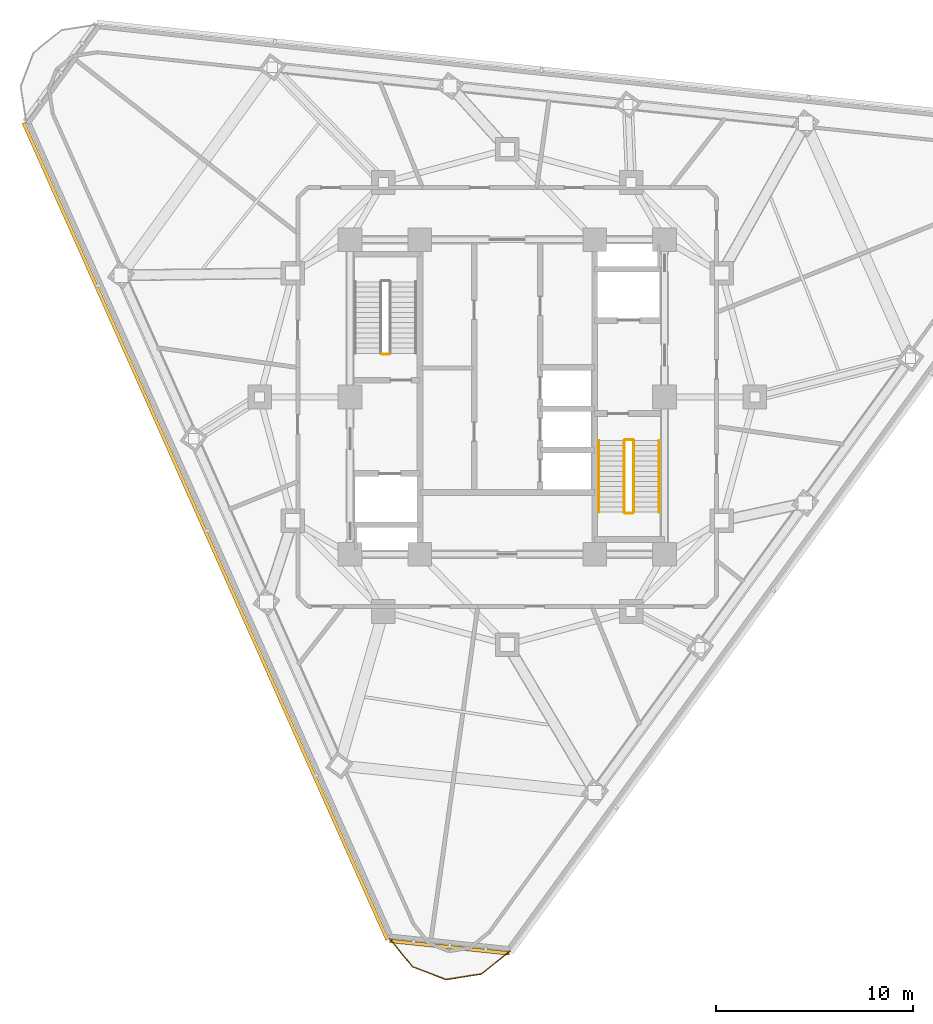
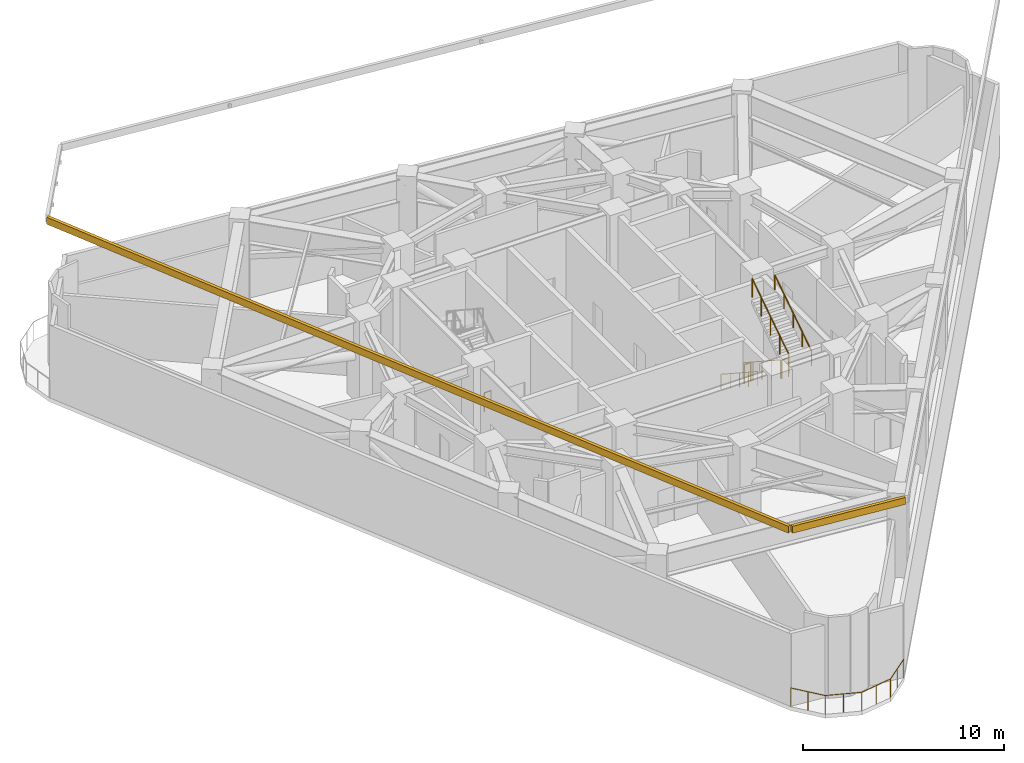
# One storey, part 8 of 10: 8 railings, 2 shading devices.
"""IFC4 building model written with IfcOpenShell, lengths in metres."""

from ifc_helpers import new_model, si_unit, direction, frame, origin, origin_2d, place, context, subcontext, project, spatial, rectangle, circle, extrude, material, layer, layer_set, type_object, element, save


model = new_model("IFC4")

# Units and contexts
model_context = context("Model", 3, precision=1e-05, world=origin(), true_north=direction((0.0, 1.0)))
body_context = subcontext(model_context, "Body", "Model", "MODEL_VIEW")
ifc_project = project(units=[si_unit("LENGTHUNIT", "METRE"), si_unit("AREAUNIT", "SQUARE_METRE"), si_unit("VOLUMEUNIT", "CUBIC_METRE"), si_unit("PLANEANGLEUNIT", "RADIAN"), si_unit("MASSUNIT", "GRAM", prefix="KILO")], contexts=[model_context])

# Site, building, storey
site_placement = place(None, origin())
site = spatial("IfcSite", under=ifc_project, at=site_placement, CompositionType="ELEMENT")
building_placement = place(site_placement, origin())
building = spatial("IfcBuilding", under=site, at=building_placement, Name="Terralouvre Media Tower", CompositionType="ELEMENT")
storey_placement = place(building_placement, frame((0.0, 0.0, 213.800048828125)))
storey = spatial("IfcBuildingStorey", under=building, at=storey_placement, Name="L55", CompositionType="ELEMENT", Elevation=213.800048828125)

# Shading devices
ifc_material_1 = material(Name="Extruded terracotta baguette sunshade louvres", Category="masonry")
shading_device_type = type_object("IfcShadingDeviceType", Name="Refuge Plant Acoustic Terracotta Louvre Grill TB-LV2", PredefinedType="JALOUSIE", material=ifc_material_1)
shading_device_1_placement = place(storey_placement, frame((-15.351806640625, -6.835205078125, 10.6298828125), z_axis=(0.0, 0.0, 1.0), x_axis=(0.406736679636, -0.913545441365, 0.0)))
element("IfcShadingDevice", 1, at=shading_device_1_placement, inside=storey, type_object=shading_device_type, Name="CW-L55-F2 Refuge Acoustic Terracotta Louvre", PredefinedType="JALOUSIE", context=body_context, shape_type="SweptSolid", body=[
    extrude(rectangle(XDim=45.5, YDim=0.179931640625, at=origin_2d()), origin(), (0.0, 0.0, 1.0), 0.419921875),
])
shading_device_2_placement = place(storey_placement, frame((-2.94189453125, -27.990234375, 10.6298828125), z_axis=(0.0, 0.0, 1.0), x_axis=(0.994521944551, -0.104527995322, 0.0)))
element("IfcShadingDevice", 2, at=shading_device_2_placement, inside=storey, type_object=shading_device_type, Name="CW-L55-C0 Refuge Acoustic Terracotta Louvre", PredefinedType="JALOUSIE", context=body_context, shape_type="SweptSolid", body=[
    extrude(rectangle(XDim=6.148681640625, YDim=0.179931640625, at=origin_2d()), origin(), (0.0, 0.0, 1.0), 0.419921875),
])

# Railings
ifc_material_2 = material(Name="Stainless steel 316 handrail and balustrade", Category="steel")
ifc_layer_1 = layer(ifc_material_2, 0.06005859375, Name="Roof Edge Safety Guardrail GR-ROOF1")
ifc_layer_set_1 = layer_set([ifc_layer_1], Name="Stainless steel 316 handrail and balustrade")
railing_type_1 = type_object("IfcRailingType", Name="Roof Edge Safety Guardrail GR-ROOF1", PredefinedType="GUARDRAIL", material=ifc_layer_set_1)
railing_1_placement = place(storey_placement, frame((-5.98583984375, -27.5546875, 0.0)))
element("IfcRailing", 3, at=railing_1_placement, inside=storey, type_object=railing_type_1, Name="L55 Wind-Corner Perimeter Safety Guardrail C0", PredefinedType="GUARDRAIL", context=body_context, shape_type="SweptSolid", body=[
    extrude(circle(Radius=0.02099609375, at=origin_2d()), frame((0.0, 0.0, 1.12890625), z_axis=(0.629125588714, -0.777303668861, 0.0), x_axis=(0.777303668861, 0.629125588714, 0.0)), (0.0, 0.0, 1.0), 1.837158203125),
    extrude(circle(Radius=0.02099609375, at=origin_2d()), frame((1.15576171875, -1.427978515625, 1.12890625), z_axis=(0.933530480619, -0.358498035915, 0.0), x_axis=(0.358498035915, 0.933530480619, 0.0)), (0.0, 0.0, 1.0), 1.836669921875),
    extrude(circle(Radius=0.02099609375, at=origin_2d()), frame((2.870361328125, -2.08642578125, 1.12890625), z_axis=(0.987666866591, 0.156569986387, 0.0), x_axis=(-0.156569986387, 0.987666866591, 0.0)), (0.0, 0.0, 1.0), 1.8369140625),
    extrude(circle(Radius=0.02099609375, at=origin_2d()), frame((4.6845703125, -1.798828125, 1.12890625), z_axis=(0.777015769995, 0.629481130122, 0.0), x_axis=(-0.629481130122, 0.777015769995, 0.0)), (0.0, 0.0, 1.0), 1.8369140625),
    extrude(circle(Radius=0.01904296875, at=origin_2d()), origin(), (0.0, 0.0, 1.0), 1.10791015625),
    extrude(circle(Radius=0.01904296875, at=origin_2d()), frame((0.577880859375, -0.7138671875, 0.0)), (0.0, 0.0, 1.0), 1.10791015625),
    extrude(circle(Radius=0.01904296875, at=origin_2d()), frame((1.15576171875, -1.427978515625, 0.0)), (0.0, 0.0, 1.0), 1.10791015625),
    extrude(circle(Radius=0.01904296875, at=origin_2d()), frame((2.01318359375, -1.75732421875, 0.0)), (0.0, 0.0, 1.0), 1.10791015625),
    extrude(circle(Radius=0.01904296875, at=origin_2d()), frame((2.870361328125, -2.08642578125, 0.0)), (0.0, 0.0, 1.0), 1.10791015625),
    extrude(circle(Radius=0.01904296875, at=origin_2d()), frame((3.77734375, -1.942626953125, 0.0)), (0.0, 0.0, 1.0), 1.10791015625),
    extrude(circle(Radius=0.01904296875, at=origin_2d()), frame((4.6845703125, -1.798828125, 0.0)), (0.0, 0.0, 1.0), 1.10791015625),
    extrude(circle(Radius=0.01904296875, at=origin_2d()), frame((5.398193359375, -1.220703125, 0.0)), (0.0, 0.0, 1.0), 1.10791015625),
    extrude(circle(Radius=0.01904296875, at=origin_2d()), frame((6.11181640625, -0.642578125, 0.0)), (0.0, 0.0, 1.0), 1.10791015625),
])
ifc_material_3 = material(Name="Stainless steel 316 handrail and balustrade", Category="steel")
ifc_layer_2 = layer(ifc_material_3, 0.050048828125, Name="Stair Flight Wall Handrail HR-INT1")
ifc_layer_set_2 = layer_set([ifc_layer_2], Name="Stainless steel 316 handrail and balustrade")
railing_type_2 = type_object("IfcRailingType", Name="Stair Flight Wall Handrail HR-INT1", PredefinedType="HANDRAIL", material=ifc_layer_set_2)
railing_2_placement = place(storey_placement, frame((4.64990234375, -2.219970703125, 0.169921875)))
element("IfcRailing", 4, at=railing_2_placement, inside=storey, type_object=railing_type_2, Name="L55 ST-02 stair handrail 1", PredefinedType="HANDRAIL", context=body_context, shape_type="SweptSolid", body=[
    extrude(circle(Radius=0.02392578125, at=origin_2d()), frame((0.0, 0.0, 0.8759765625), z_axis=(0.0, -0.836965658359, 0.547255412699), x_axis=(1.0, 0.0, 0.0)), (0.0, 0.0, 1.0), 4.34912109375),
    extrude(circle(Radius=0.02099609375, at=origin_2d()), origin(), (0.0, 0.0, 1.0), 0.851806640625),
    extrude(circle(Radius=0.02099609375, at=origin_2d()), frame((0.0, -0.91015625, 0.594970703125)), (0.0, 0.0, 1.0), 0.851806640625),
    extrude(circle(Radius=0.02099609375, at=origin_2d()), frame((0.0, -1.820068359375, 1.18994140625)), (0.0, 0.0, 1.0), 0.851806640625),
    extrude(circle(Radius=0.02099609375, at=origin_2d()), frame((0.0, -2.72998046875, 1.78515625)), (0.0, 0.0, 1.0), 0.851806640625),
    extrude(circle(Radius=0.02099609375, at=origin_2d()), frame((0.0, -3.64013671875, 2.380126953125)), (0.0, 0.0, 1.0), 0.851806640625),
])
railing_3_placement = place(storey_placement, frame((7.72998046875, -5.860107421875, 2.719970703125)))
element("IfcRailing", 5, at=railing_3_placement, inside=storey, type_object=railing_type_2, Name="L55 ST-02 stair handrail 2", PredefinedType="HANDRAIL", context=body_context, shape_type="SweptSolid", body=[
    extrude(circle(Radius=0.02392578125, at=origin_2d()), frame((0.0, 0.0, 0.8759765625), z_axis=(0.0, 0.836991369742, 0.547216088011), x_axis=(-1.0, 0.0, 0.0)), (0.0, 0.0, 1.0), 4.34912109375),
    extrude(circle(Radius=0.02099609375, at=origin_2d()), origin(), (0.0, 0.0, 1.0), 0.851806640625),
    extrude(circle(Radius=0.02099609375, at=origin_2d()), frame((0.0, 0.91015625, 0.594970703125)), (0.0, 0.0, 1.0), 0.851806640625),
    extrude(circle(Radius=0.02099609375, at=origin_2d()), frame((0.0, 1.820068359375, 1.18994140625)), (0.0, 0.0, 1.0), 0.851806640625),
    extrude(circle(Radius=0.02099609375, at=origin_2d()), frame((0.0, 2.72998046875, 1.784912109375)), (0.0, 0.0, 1.0), 0.851806640625),
    extrude(circle(Radius=0.02099609375, at=origin_2d()), frame((0.0, 3.64013671875, 2.3798828125)), (0.0, 0.0, 1.0), 0.851806640625),
])
ifc_material_4 = material(Name="Stainless steel 316 handrail and balustrade", Category="steel")
ifc_layer_3 = layer(ifc_material_4, 0.050048828125, Name="Stairwell Safety Guardrail GR-INT1")
ifc_layer_set_3 = layer_set([ifc_layer_3], Name="Stainless steel 316 handrail and balustrade")
railing_type_3 = type_object("IfcRailingType", Name="Stairwell Safety Guardrail GR-INT1", PredefinedType="GUARDRAIL", material=ifc_layer_set_3)
railing_4_placement = place(storey_placement, frame((-6.0, 2.169921875, 0.0)))
element("IfcRailing", 6, at=railing_4_placement, inside=storey, type_object=railing_type_3, Name="L55 ST-01 stair guard 4", PredefinedType="GUARDRAIL", context=body_context, shape_type="SweptSolid", body=[
    extrude(circle(Radius=0.02392578125, at=origin_2d()), frame((0.0, 0.0, 1.1259765625), z_axis=(-1.0, 0.0, 0.0), x_axis=(0.0, -1.0, 0.0)), (0.0, 0.0, 1.0), 0.3798828125),
    extrude(circle(Radius=0.02099609375, at=origin_2d()), origin(), (0.0, 0.0, 1.0), 1.101806640625),
    extrude(circle(Radius=0.02099609375, at=origin_2d()), frame((-0.3798828125, 0.0, 0.0)), (0.0, 0.0, 1.0), 1.101806640625),
])
railing_5_placement = place(storey_placement, frame((5.949951171875, -2.219970703125, 0.169921875)))
element("IfcRailing", 7, at=railing_5_placement, inside=storey, type_object=railing_type_3, Name="L55 ST-02 stair guard 1", PredefinedType="GUARDRAIL", context=body_context, shape_type="SweptSolid", body=[
    extrude(circle(Radius=0.02392578125, at=origin_2d()), frame((0.0, 0.0, 1.1259765625), z_axis=(0.0, -0.836965658359, 0.547255412699), x_axis=(1.0, 0.0, 0.0)), (0.0, 0.0, 1.0), 4.34912109375),
    extrude(circle(Radius=0.02099609375, at=origin_2d()), origin(), (0.0, 0.0, 1.0), 1.101806640625),
    extrude(circle(Radius=0.02099609375, at=origin_2d()), frame((0.0, -0.91015625, 0.594970703125)), (0.0, 0.0, 1.0), 1.101806640625),
    extrude(circle(Radius=0.02099609375, at=origin_2d()), frame((0.0, -1.820068359375, 1.18994140625)), (0.0, 0.0, 1.0), 1.101806640625),
    extrude(circle(Radius=0.02099609375, at=origin_2d()), frame((0.0, -2.72998046875, 1.78515625)), (0.0, 0.0, 1.0), 1.101806640625),
    extrude(circle(Radius=0.02099609375, at=origin_2d()), frame((0.0, -3.64013671875, 2.380126953125)), (0.0, 0.0, 1.0), 1.101806640625),
])
railing_6_placement = place(storey_placement, frame((6.0, -5.909912109375, 2.550048828125)))
element("IfcRailing", 8, at=railing_6_placement, inside=storey, type_object=railing_type_3, Name="L55 ST-02 stair guard 2", PredefinedType="GUARDRAIL", context=body_context, shape_type="SweptSolid", body=[
    extrude(circle(Radius=0.02392578125, at=origin_2d()), frame((0.0, 0.0, 1.1259765625), z_axis=(1.0, 0.0, 0.0), x_axis=(0.0, 1.0, 0.0)), (0.0, 0.0, 1.0), 0.3798828125),
    extrude(circle(Radius=0.02099609375, at=origin_2d()), origin(), (0.0, 0.0, 1.0), 1.101806640625),
    extrude(circle(Radius=0.02099609375, at=origin_2d()), frame((0.3798828125, 0.0, 0.0)), (0.0, 0.0, 1.0), 1.101806640625),
])
railing_7_placement = place(storey_placement, frame((6.429931640625, -5.860107421875, 2.719970703125)))
element("IfcRailing", 9, at=railing_7_placement, inside=storey, type_object=railing_type_3, Name="L55 ST-02 stair guard 3", PredefinedType="GUARDRAIL", context=body_context, shape_type="SweptSolid", body=[
    extrude(circle(Radius=0.02392578125, at=origin_2d()), frame((0.0, 0.0, 1.1259765625), z_axis=(0.0, 0.836991369742, 0.547216088011), x_axis=(-1.0, 0.0, 0.0)), (0.0, 0.0, 1.0), 4.34912109375),
    extrude(circle(Radius=0.02099609375, at=origin_2d()), origin(), (0.0, 0.0, 1.0), 1.101806640625),
    extrude(circle(Radius=0.02099609375, at=origin_2d()), frame((0.0, 0.91015625, 0.594970703125)), (0.0, 0.0, 1.0), 1.101806640625),
    extrude(circle(Radius=0.02099609375, at=origin_2d()), frame((0.0, 1.820068359375, 1.18994140625)), (0.0, 0.0, 1.0), 1.101806640625),
    extrude(circle(Radius=0.02099609375, at=origin_2d()), frame((0.0, 2.72998046875, 1.784912109375)), (0.0, 0.0, 1.0), 1.101806640625),
    extrude(circle(Radius=0.02099609375, at=origin_2d()), frame((0.0, 3.64013671875, 2.3798828125)), (0.0, 0.0, 1.0), 1.101806640625),
])
railing_8_placement = place(storey_placement, frame((6.0, -2.169921875, 0.0)))
element("IfcRailing", 10, at=railing_8_placement, inside=storey, type_object=railing_type_3, Name="L55 ST-02 stair guard 4", PredefinedType="GUARDRAIL", context=body_context, shape_type="SweptSolid", body=[
    extrude(circle(Radius=0.02392578125, at=origin_2d()), frame((0.0, 0.0, 1.1259765625), z_axis=(1.0, 0.0, 0.0), x_axis=(0.0, 1.0, 0.0)), (0.0, 0.0, 1.0), 0.3798828125),
    extrude(circle(Radius=0.02099609375, at=origin_2d()), origin(), (0.0, 0.0, 1.0), 1.101806640625),
    extrude(circle(Radius=0.02099609375, at=origin_2d()), frame((0.3798828125, 0.0, 0.0)), (0.0, 0.0, 1.0), 1.101806640625),
])

save(model, "model.ifc")
